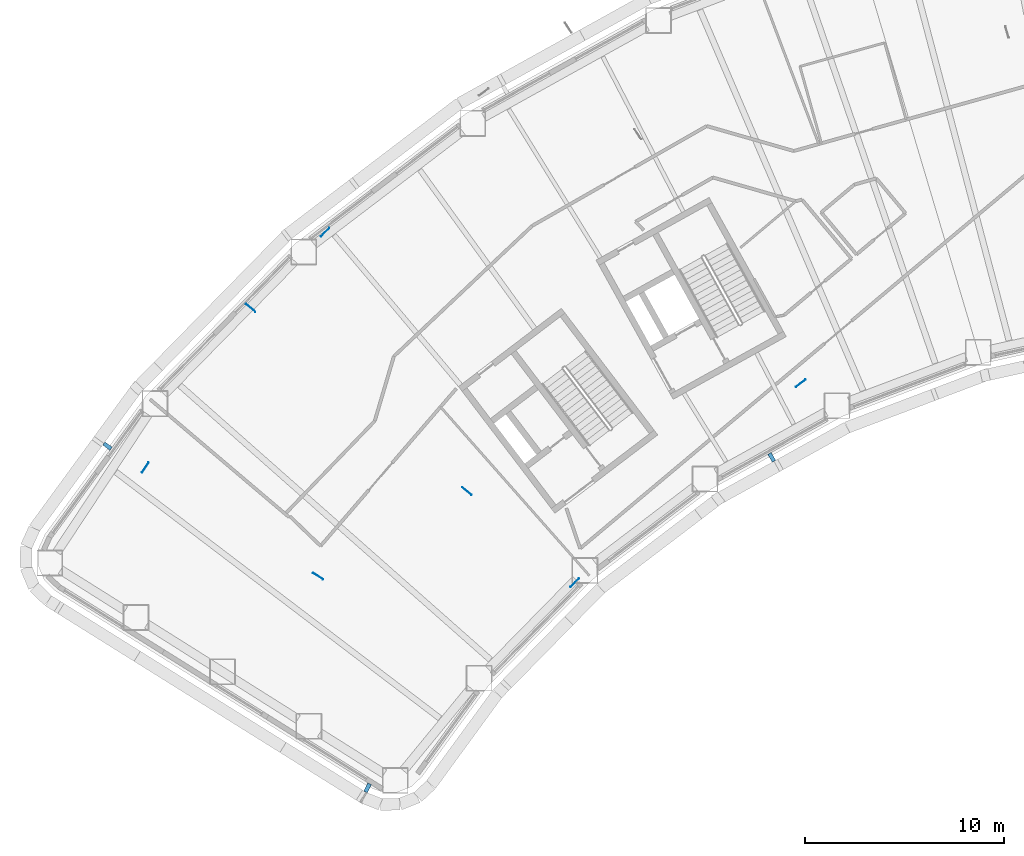
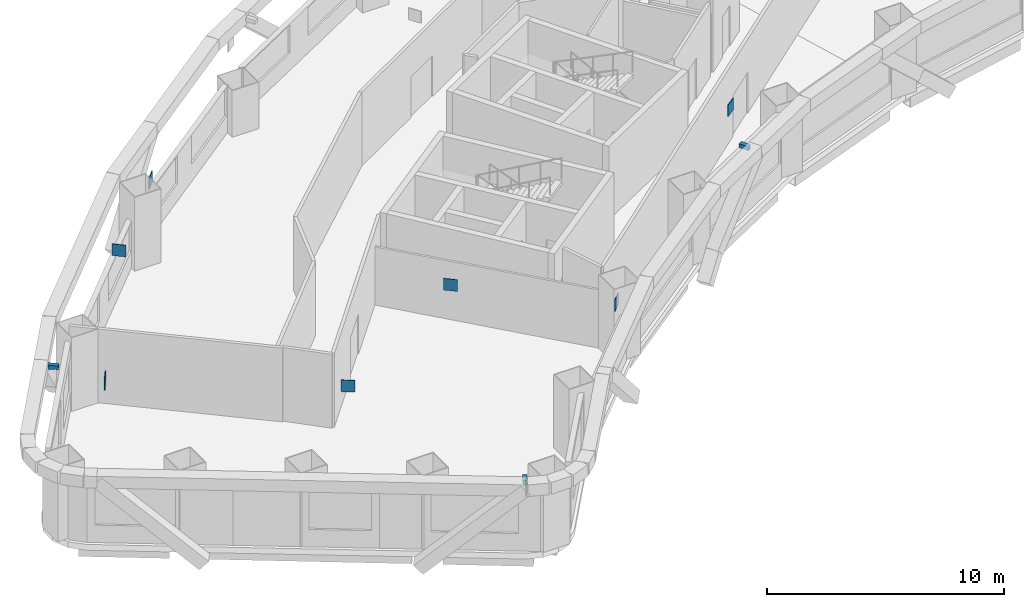
# One storey, part 10 of 19: 10 discrete accessories.
"""IFC4 building model written with IfcOpenShell, lengths in metres."""

from ifc_helpers import new_model, si_unit, direction, frame, origin, origin_2d, place, context, subcontext, project, spatial, rectangle, extrude, material, type_object, element, save


model = new_model("IFC4")

# Units and contexts
model_context = context("Model", 3, precision=1e-05, world=origin(), true_north=direction((0.0, 1.0)))
body_context = subcontext(model_context, "Body", "Model", "MODEL_VIEW")
ifc_project = project(units=[si_unit("LENGTHUNIT", "METRE"), si_unit("AREAUNIT", "SQUARE_METRE"), si_unit("VOLUMEUNIT", "CUBIC_METRE"), si_unit("PLANEANGLEUNIT", "RADIAN"), si_unit("MASSUNIT", "GRAM", prefix="KILO")], contexts=[model_context])

# Site, building, storey
site_placement = place(None, origin())
site = spatial("IfcSite", under=ifc_project, at=site_placement, CompositionType="ELEMENT")
building_placement = place(site_placement, origin())
building = spatial("IfcBuilding", under=site, at=building_placement, Name="Tuul Gate Civic Tower", CompositionType="ELEMENT")
storey_placement = place(building_placement, frame((0.0, 0.0, 56.699951171875)))
storey = spatial("IfcBuildingStorey", under=building, at=storey_placement, Name="Level 12", CompositionType="ELEMENT", Elevation=56.699951171875)

# Discrete accessories
ifc_material_1 = material(Name="Steel S355", Category="steel")
discrete_accessory_type_1 = type_object("IfcDiscreteAccessoryType", Name="Gusset plate", PredefinedType="BRACKET", material=ifc_material_1)
for number, where, z_axis, x_axis, name in (
    (1, (-23.918212890625, -11.19677734375, 2.79638671875), (0.0, 0.0, 1.0), (-0.795616135693, -0.605801093284, 0.0), "Gusset plate"),
    (2, (-51.564697265625, -7.40625, 2.796875), (0.0, 0.0, 1.0), (0.76282474496, -0.646605295738, 0.0), "Gusset plate"),
    (3, (-40.703369140625, -16.614990234375, 2.79736328125), (0.0, 0.0, 1.0), (-0.76282474496, 0.646605295738, 0.0), "Gusset plate"),
    (4, (-47.826416015625, -3.596435546875, 2.796630859375), (0.0, 0.0, 1.0), (0.700047997827, 0.71409579241, 0.0), "Gusset plate"),
    (5, (-56.865478515625, -15.421630859375, 2.796630859375), (0.0, 0.0, 1.0), (0.551645433906, 0.834078722454, 0.0), "Gusset plate"),
    (6, (-35.272705078125, -21.217529296875, 2.796630859375), (0.0, 0.0, 1.0), (0.700025276835, 0.714118065723, 0.0), "Gusset plate"),
    (7, (-48.177978515625, -20.89111328125, 2.796630859375), (0.0, 0.0, 1.0), (0.84627513954, -0.532746082291, 0.0), "Gusset plate"),
):
    element("IfcDiscreteAccessory", number, at=place(storey_placement, frame(where, z_axis=z_axis, x_axis=x_axis)), inside=storey, type_object=discrete_accessory_type_1, Name=name, PredefinedType="BRACKET", context=body_context, shape_type="SweptSolid", body=[
        extrude(rectangle(XDim=0.60009765625, YDim=0.030029296875, at=origin_2d()), origin(), (0.0, 0.0, 1.0), 0.60009765625),
    ])
ifc_material_2 = material(Name="Stainless steel", Category="steel")
discrete_accessory_type_2 = type_object("IfcDiscreteAccessoryType", Name="Screen bracket", PredefinedType="BRACKET", material=ifc_material_2)
discrete_accessory_1_placement = place(storey_placement, frame((-58.768310546875, -14.354248046875, 3.75), z_axis=(0.0, 0.0, 1.0), x_axis=(-0.80294649187, 0.596051114582, 0.0)))
element("IfcDiscreteAccessory", 8, at=discrete_accessory_1_placement, inside=storey, type_object=discrete_accessory_type_2, Name="Screen bracket 17", PredefinedType="BRACKET", context=body_context, shape_type="SweptSolid", body=[
    extrude(rectangle(XDim=0.449951171875, YDim=0.199951171875, at=origin_2d()), origin(), (0.0, 0.0, 1.0), 0.199951171875),
])
discrete_accessory_2_placement = place(storey_placement, frame((-45.692138671875, -31.53662109375, 3.75), z_axis=(0.0, 0.0, 1.0), x_axis=(-0.448835572436, -0.893614362528, 0.0)))
element("IfcDiscreteAccessory", 9, at=discrete_accessory_2_placement, inside=storey, type_object=discrete_accessory_type_2, Name="Screen bracket 20", PredefinedType="BRACKET", context=body_context, shape_type="SweptSolid", body=[
    extrude(rectangle(XDim=0.451904296875, YDim=0.199951171875, at=origin_2d()), origin(), (0.0, 0.0, 1.0), 0.199951171875),
])
discrete_accessory_3_placement = place(storey_placement, frame((-25.371337890625, -14.9169921875, 3.75), z_axis=(0.0, 0.0, 1.0), x_axis=(0.490455124857, -0.871466448293, 0.0)))
element("IfcDiscreteAccessory", 10, at=discrete_accessory_3_placement, inside=storey, type_object=discrete_accessory_type_2, Name="Screen bracket 23", PredefinedType="BRACKET", context=body_context, shape_type="SweptSolid", body=[
    extrude(rectangle(XDim=0.449951171875, YDim=0.199951171875, at=origin_2d()), origin(), (0.0, 0.0, 1.0), 0.199951171875),
])

save(model, "model.ifc")
